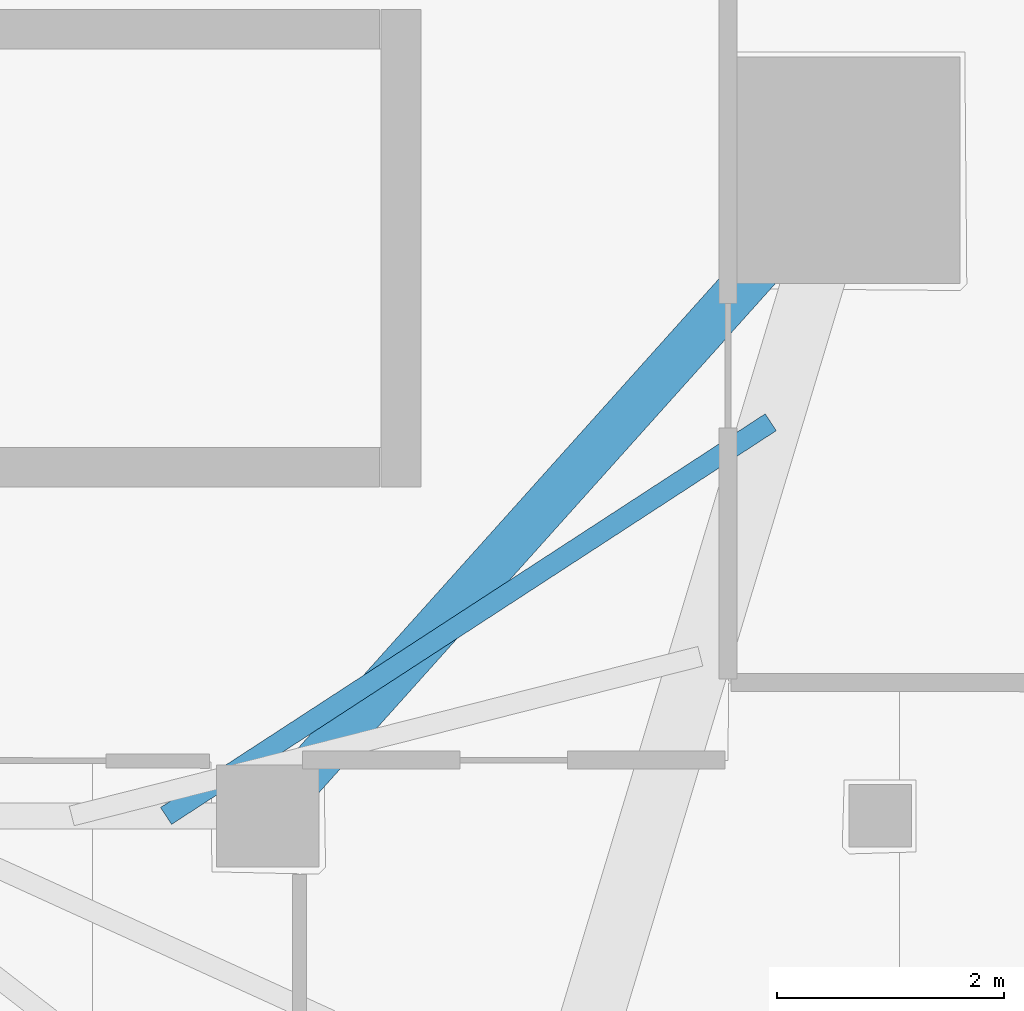
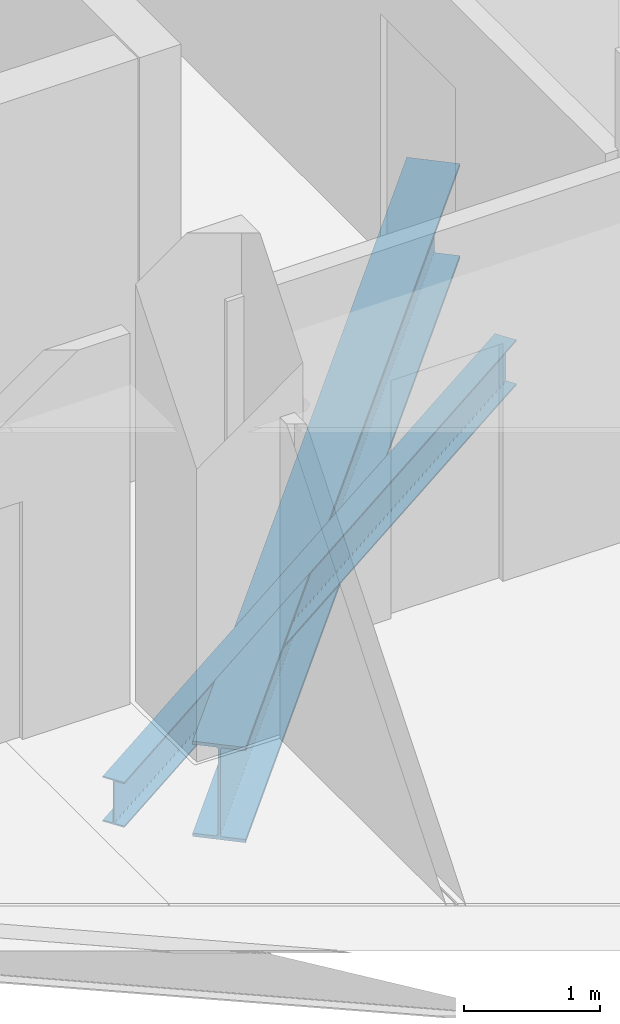
# One storey, part 11 of 33: 2 beams.
"""IFC4 building model written with IfcOpenShell, lengths in metres."""

from ifc_helpers import new_model, si_unit, direction, frame, origin, origin_2d, place, context, subcontext, project, spatial, i_section, extrude, material, material_profile, profile_set, type_object, element, save


model = new_model("IFC4")

# Units and contexts
model_context = context("Model", 3, precision=1e-05, world=origin(), true_north=direction((0.0, 1.0)))
body_context = subcontext(model_context, "Body", "Model", "MODEL_VIEW")
ifc_project = project(units=[si_unit("LENGTHUNIT", "METRE"), si_unit("AREAUNIT", "SQUARE_METRE"), si_unit("VOLUMEUNIT", "CUBIC_METRE"), si_unit("PLANEANGLEUNIT", "RADIAN"), si_unit("MASSUNIT", "GRAM", prefix="KILO")], contexts=[model_context])

# Site, building, storey
site_placement = place(None, origin())
site = spatial("IfcSite", under=ifc_project, at=site_placement, CompositionType="ELEMENT")
building_placement = place(site_placement, origin())
building = spatial("IfcBuilding", under=site, at=building_placement, Name="Qorvath Tower", CompositionType="ELEMENT")
storey_placement = place(building_placement, frame((0.0, 0.0, 209.10009765625)))
storey = spatial("IfcBuildingStorey", under=building, at=storey_placement, Name="L48", CompositionType="ELEMENT", Elevation=209.10009765625)

# Beams
ifc_material_1 = material(Name="Steel ASTM A992 Grade 50", Category="steel")
ifc_material_profile_1 = material_profile(ifc_material_1, i_section(OverallWidth=0.39892578125, OverallDepth=0.85498046875, WebThickness=0.018310546875, FlangeThickness=0.029296875, FilletRadius=0.02001953125, at=origin_2d()), Name="W33x201")
ifc_profile_set_1 = profile_set([ifc_material_profile_1], Name="Steel ASTM A992 Grade 50")
beam_type_1 = type_object("IfcBeamType", Name="BM-FG2", PredefinedType="BEAM", material=ifc_profile_set_1)
beam_1_placement = place(storey_placement, frame((-17.199951171875, -11.449951171875, -0.697509765625), z_axis=(0.667543184261, 0.744571082669, 0.0), x_axis=(-0.744571082669, 0.667543184261, 0.0)))
element("IfcBeam", 1, at=beam_1_placement, inside=storey, type_object=beam_type_1, Name="Radial Floor Girder CC3-MC4 L48", PredefinedType="BEAM", context=body_context, shape_type="SweptSolid", body=[
    extrude(i_section(OverallWidth=0.39892578125, OverallDepth=0.85498046875, WebThickness=0.018310546875, FlangeThickness=0.029296875, FilletRadius=0.02001953125, at=origin_2d()), origin(), (0.0, 0.0, 1.0), 7.644775390625),
])
ifc_material_2 = material(Name="Steel ASTM A992 Grade 50", Category="steel")
ifc_material_profile_2 = material_profile(ifc_material_2, i_section(OverallWidth=0.177978515625, OverallDepth=0.406005859375, WebThickness=0.0078125, FlangeThickness=0.0126953125, FilletRadius=0.010986328125, at=origin_2d()), Name="W16x40")
ifc_profile_set_2 = profile_set([ifc_material_profile_2], Name="Steel ASTM A992 Grade 50")
beam_type_2 = type_object("IfcBeamType", Name="BM-FJ3", PredefinedType="JOIST", material=ifc_profile_set_2)
beam_2_placement = place(storey_placement, frame((-18.095947265625, -11.449951171875, -0.472900390625), z_axis=(0.838041756057, 0.545606098853, 0.0), x_axis=(-0.545606098853, 0.838041756057, 0.0)))
element("IfcBeam", 2, at=beam_2_placement, inside=storey, type_object=beam_type_2, Name="Composite Floor Joist SE1 L48", PredefinedType="JOIST", context=body_context, shape_type="SweptSolid", body=[
    extrude(i_section(OverallWidth=0.177978515625, OverallDepth=0.406005859375, WebThickness=0.0078125, FlangeThickness=0.0126953125, FilletRadius=0.010986328125, at=origin_2d()), origin(), (0.0, 0.0, 1.0), 6.36083984375),
])

save(model, "model.ifc")
